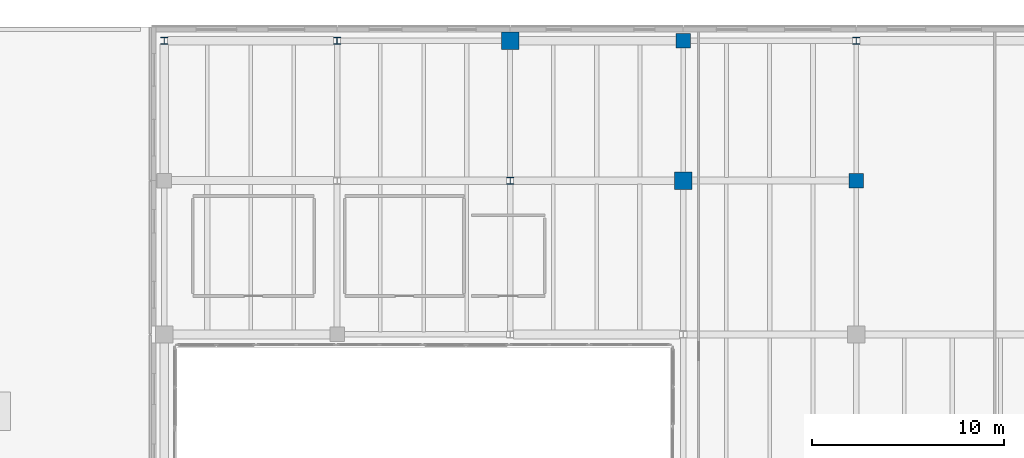
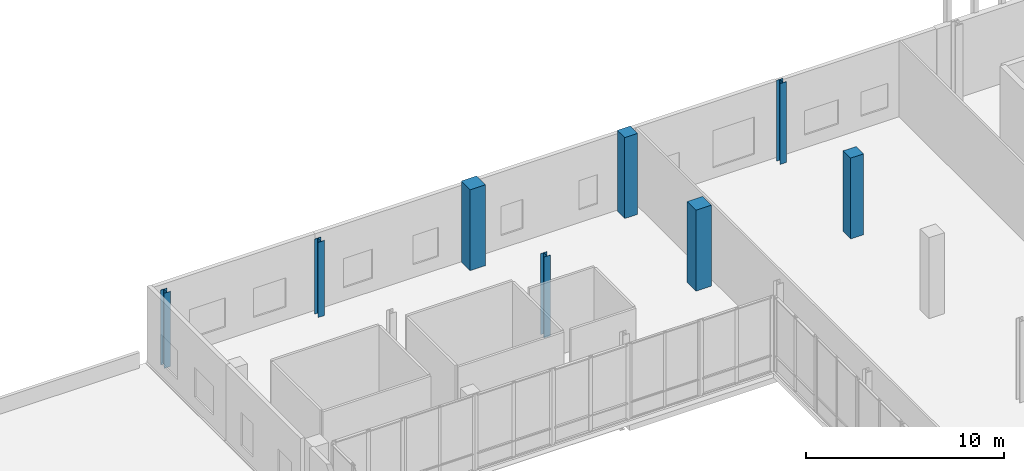
# One storey, part 7 of 60: 8 columns.
"""IFC4 building model written with IfcOpenShell, lengths in metres."""

from ifc_helpers import new_model, si_unit, direction, frame, origin, origin_2d, place, context, subcontext, project, spatial, rectangle, i_section, extrude, material, material_profile, profile_set, type_object, element, save


model = new_model("IFC4")

# Units and contexts
model_context = context("Model", 3, precision=1e-05, world=origin(), true_north=direction((0.0, 1.0)))
body_context = subcontext(model_context, "Body", "Model", "MODEL_VIEW")
ifc_project = project(units=[si_unit("LENGTHUNIT", "METRE"), si_unit("AREAUNIT", "SQUARE_METRE"), si_unit("VOLUMEUNIT", "CUBIC_METRE"), si_unit("PLANEANGLEUNIT", "RADIAN"), si_unit("MASSUNIT", "GRAM", prefix="KILO")], contexts=[model_context])

# Site, building, storey
site_placement = place(None, origin())
site = spatial("IfcSite", under=ifc_project, at=site_placement, CompositionType="ELEMENT")
building_placement = place(site_placement, origin())
building = spatial("IfcBuilding", under=site, at=building_placement, Name="Trimount Lyric Opera House", CompositionType="ELEMENT")
storey_placement = place(building_placement, frame((0.0, 0.0, 15.0)))
storey = spatial("IfcBuildingStorey", under=building, at=storey_placement, Name="L03", CompositionType="ELEMENT", Elevation=15.0)

# Columns
ifc_material_1 = material(Name="Steel ASTM A992 Grade 50", Category="steel")
ifc_material_profile_1 = material_profile(ifc_material_1, i_section(OverallWidth=0.373046875, OverallDepth=0.367919921875, WebThickness=0.014892578125, FlangeThickness=0.02392578125, FilletRadius=0.014892578125, at=origin_2d()), Name="W14X120")
ifc_profile_set_1 = profile_set([ifc_material_profile_1], Name="Steel ASTM A992 Grade 50")
column_type_1 = type_object("IfcColumnType", Name="C-04", PredefinedType="COLUMN", material=ifc_profile_set_1)
column_1_placement = place(storey_placement, frame((27.0, 117.280029296875, 0.0), z_axis=(0.0, 0.0, 1.0), x_axis=(1.0, 0.0, 0.0)))
element("IfcColumn", 1, at=column_1_placement, inside=storey, type_object=column_type_1, Name="L03 column 4/P", PredefinedType="COLUMN", context=body_context, shape_type="SweptSolid", body=[
    extrude(i_section(OverallWidth=0.373046875, OverallDepth=0.367919921875, WebThickness=0.014892578125, FlangeThickness=0.02392578125, FilletRadius=0.014892578125, at=origin_2d()), origin(), (0.0, 0.0, 1.0), 4.639892578125),
])
column_2_placement = place(storey_placement, frame((36.0, 110.0, 0.0), z_axis=(0.0, 0.0, 1.0), x_axis=(1.0, 0.0, 0.0)))
element("IfcColumn", 2, at=column_2_placement, inside=storey, type_object=column_type_1, Name="L03 column 5/N", PredefinedType="COLUMN", context=body_context, shape_type="SweptSolid", body=[
    extrude(i_section(OverallWidth=0.373046875, OverallDepth=0.367919921875, WebThickness=0.014892578125, FlangeThickness=0.02392578125, FilletRadius=0.014892578125, at=origin_2d()), origin(), (0.0, 0.0, 1.0), 5.0),
])
ifc_material_2 = material(Name="Steel ASTM A992 Grade 50", Category="steel")
ifc_material_profile_2 = material_profile(ifc_material_2, i_section(OverallWidth=0.367919921875, OverallDepth=0.35595703125, WebThickness=0.01123046875, FlangeThickness=0.01806640625, FilletRadius=0.014892578125, at=origin_2d()), Name="W14X90")
ifc_profile_set_2 = profile_set([ifc_material_profile_2], Name="Steel ASTM A992 Grade 50")
column_type_2 = type_object("IfcColumnType", Name="C-09", PredefinedType="COLUMN", material=ifc_profile_set_2)
column_3_placement = place(storey_placement, frame((18.0, 117.280029296875, 0.0), z_axis=(0.0, 0.0, 1.0), x_axis=(1.0, 0.0, 0.0)))
element("IfcColumn", 3, at=column_3_placement, inside=storey, type_object=column_type_2, Name="L03 column 3/P", PredefinedType="COLUMN", context=body_context, shape_type="SweptSolid", body=[
    extrude(i_section(OverallWidth=0.367919921875, OverallDepth=0.35595703125, WebThickness=0.01123046875, FlangeThickness=0.01806640625, FilletRadius=0.014892578125, at=origin_2d()), origin(), (0.0, 0.0, 1.0), 4.639892578125),
])
column_4_placement = place(storey_placement, frame((54.0, 117.280029296875, 0.0), z_axis=(0.0, 0.0, 1.0), x_axis=(1.0, 0.0, 0.0)))
element("IfcColumn", 4, at=column_4_placement, inside=storey, type_object=column_type_2, Name="L03 column 7/P", PredefinedType="COLUMN", context=body_context, shape_type="SweptSolid", body=[
    extrude(i_section(OverallWidth=0.367919921875, OverallDepth=0.35595703125, WebThickness=0.01123046875, FlangeThickness=0.01806640625, FilletRadius=0.014892578125, at=origin_2d()), origin(), (0.0, 0.0, 1.0), 5.0),
])
ifc_material_3 = material(Name="Concrete C50/60", Category="concrete")
ifc_material_profile_3 = material_profile(ifc_material_3, rectangle(XDim=0.89990234375, YDim=0.89990234375, at=origin_2d()), Name="RC900X900")
ifc_profile_set_3 = profile_set([ifc_material_profile_3], Name="Concrete C50/60")
column_type_3 = type_object("IfcColumnType", Name="C-13", PredefinedType="COLUMN", material=ifc_profile_set_3)
for number, where, z_axis, x_axis, name in (
    (5, (36.0, 117.280029296875, 0.0), (0.0, 0.0, 1.0), (1.0, 0.0, 0.0), "L03 column 5/P"),
    (6, (45.0, 110.0, 0.0), (0.0, 0.0, 1.0), (1.0, 0.0, 0.0), "L03 column 6/N"),
):
    element("IfcColumn", number, at=place(storey_placement, frame(where, z_axis=z_axis, x_axis=x_axis)), inside=storey, type_object=column_type_3, Name=name, PredefinedType="COLUMN", context=body_context, shape_type="SweptSolid", body=[
        extrude(rectangle(XDim=0.89990234375, YDim=0.89990234375, at=origin_2d()), origin(), (0.0, 0.0, 1.0), 5.0),
    ])
ifc_material_4 = material(Name="Concrete C40/50", Category="concrete")
ifc_material_profile_4 = material_profile(ifc_material_4, rectangle(XDim=0.75, YDim=0.75, at=origin_2d()), Name="RC750X750")
ifc_profile_set_4 = profile_set([ifc_material_profile_4], Name="Concrete C40/50")
column_type_4 = type_object("IfcColumnType", Name="C-15", PredefinedType="COLUMN", material=ifc_profile_set_4)
for number, where, z_axis, x_axis, name in (
    (7, (45.0, 117.280029296875, 0.0), (0.0, 0.0, 1.0), (1.0, 0.0, 0.0), "L03 column 6/P"),
    (8, (54.0, 110.0, 0.0), (0.0, 0.0, 1.0), (1.0, 0.0, 0.0), "L03 column 7/N"),
):
    element("IfcColumn", number, at=place(storey_placement, frame(where, z_axis=z_axis, x_axis=x_axis)), inside=storey, type_object=column_type_4, Name=name, PredefinedType="COLUMN", context=body_context, shape_type="SweptSolid", body=[
        extrude(rectangle(XDim=0.75, YDim=0.75, at=origin_2d()), origin(), (0.0, 0.0, 1.0), 5.0),
    ])

save(model, "model.ifc")
